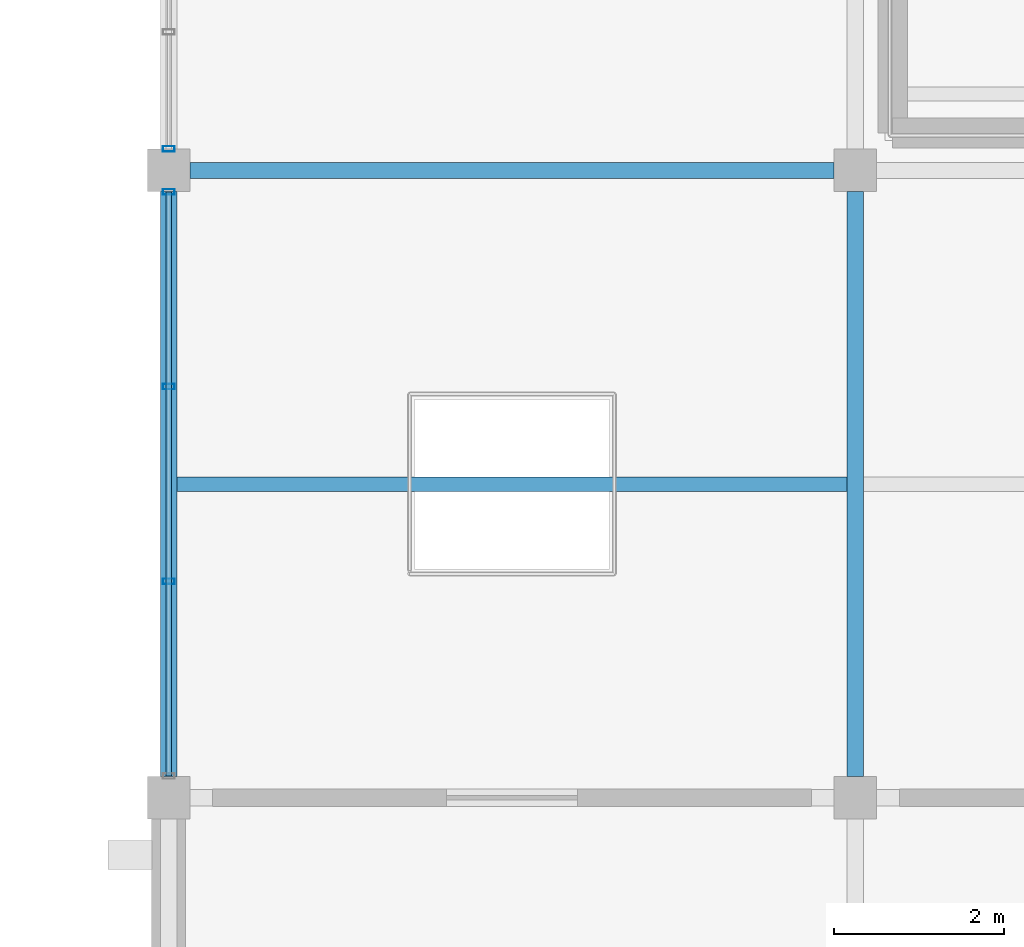
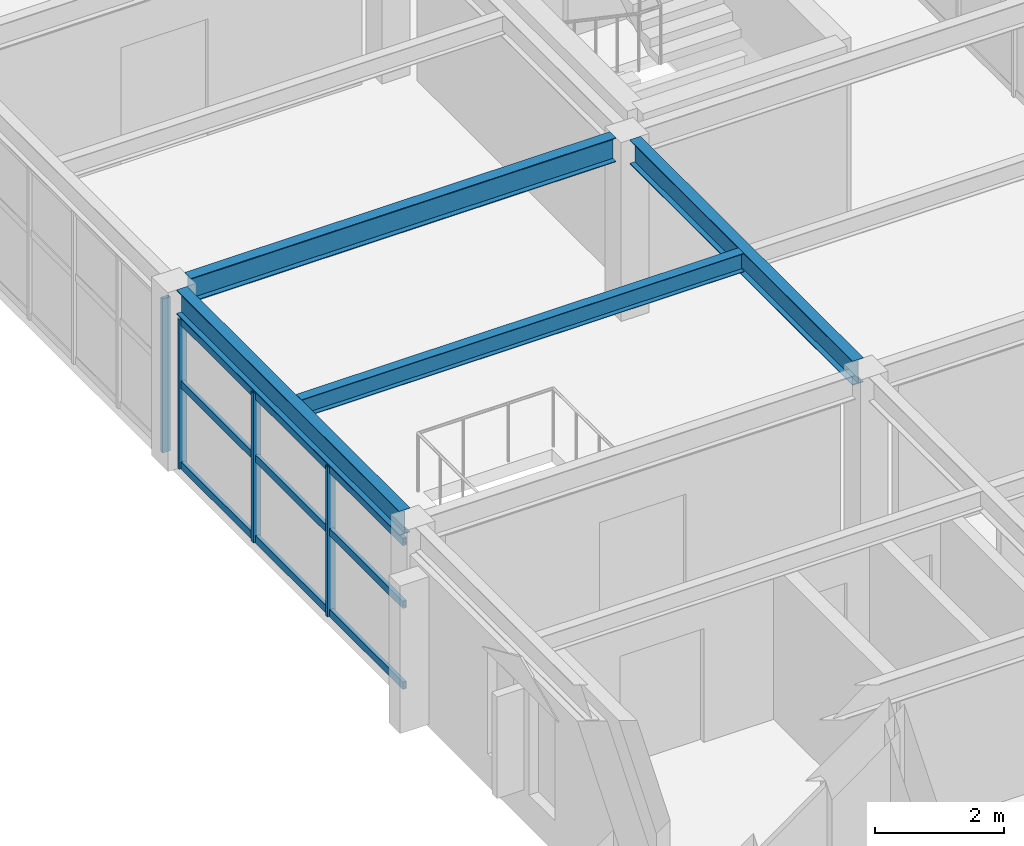
# One storey, part 40 of 93: 7 members, 4 beams, 2 elements without a shape of their own.
"""IFC4 building model written with IfcOpenShell, lengths in metres."""

from ifc_helpers import new_model, si_unit, direction, frame, origin, origin_2d, place, context, subcontext, project, spatial, hollow_rectangle, i_section, extrude, material, material_profile, profile_set, type_object, element, aggregate, save


model = new_model("IFC4")

# Units and contexts
model_context = context("Model", 3, precision=1e-05, world=origin(), true_north=direction((0.0, 1.0)))
body_context = subcontext(model_context, "Body", "Model", "MODEL_VIEW")
ifc_project = project(units=[si_unit("LENGTHUNIT", "METRE"), si_unit("AREAUNIT", "SQUARE_METRE"), si_unit("VOLUMEUNIT", "CUBIC_METRE"), si_unit("PLANEANGLEUNIT", "RADIAN"), si_unit("MASSUNIT", "GRAM", prefix="KILO")], contexts=[model_context])

# Site, building, storey
site_placement = place(None, origin())
site = spatial("IfcSite", under=ifc_project, at=site_placement, CompositionType="ELEMENT")
building_placement = place(site_placement, origin())
building = spatial("IfcBuilding", under=site, at=building_placement, Name="Cimatlan Art Gallery", CompositionType="ELEMENT")
storey_placement = place(building_placement, frame((0.0, 0.0, 13.800048828125)))
storey = spatial("IfcBuildingStorey", under=building, at=storey_placement, Name="L03", CompositionType="ELEMENT", Elevation=13.800048828125)

# Beams
ifc_material_1 = material(Name="Steel ASTM A992 Grade 50", Category="steel")
ifc_material_profile_1 = material_profile(ifc_material_1, i_section(OverallWidth=0.1708984375, OverallDepth=0.35107421875, WebThickness=0.0068359375, FlangeThickness=0.009765625, at=origin_2d()), Name="W14X30")
ifc_profile_set_1 = profile_set([ifc_material_profile_1], Name="Steel ASTM A992 Grade 50")
beam_type_1 = type_object("IfcBeamType", Name="BM-STL-W14X30", PredefinedType="JOIST", material=ifc_profile_set_1)
beam_1_placement = place(storey_placement, frame((115.49560546875, 42.39990234375, 3.204345703125), z_axis=(1.0, 0.0, 0.0), x_axis=(0.0, 1.0, 0.0)))
element("IfcBeam", 1, at=beam_1_placement, inside=storey, type_object=beam_type_1, Name="JST-L03-14-05", PredefinedType="JOIST", context=body_context, shape_type="SweptSolid", body=[
    extrude(i_section(OverallWidth=0.1708984375, OverallDepth=0.35107421875, WebThickness=0.0068359375, FlangeThickness=0.009765625, at=origin_2d()), origin(), (0.0, 0.0, 1.0), 7.908935546875),
])
ifc_material_profile_2 = material_profile(ifc_material_1, i_section(OverallWidth=0.19091796875, OverallDepth=0.45703125, WebThickness=0.009033203125, FlangeThickness=0.014404296875, at=origin_2d()), Name="W18X50")
ifc_profile_set_2 = profile_set([ifc_material_profile_2], Name="Steel ASTM A992 Grade 50")
beam_type_2 = type_object("IfcBeamType", Name="BM-STL-W18X50", PredefinedType="BEAM", material=ifc_profile_set_2)
for number, where, z_axis, x_axis, name in (
    (2, (115.39990234375, 38.949951171875, 3.1513671875), (0.0, 1.0, 0.0), (-1.0, 0.0, 0.0), "BM-Y-L03-14-05"),
    (3, (123.5, 38.949951171875, 3.1513671875), (0.0, 1.0, 0.0), (-1.0, 0.0, 0.0), "BM-Y-L03-15-05"),
):
    element("IfcBeam", number, at=place(storey_placement, frame(where, z_axis=z_axis, x_axis=x_axis)), inside=storey, type_object=beam_type_2, Name=name, PredefinedType="BEAM", context=body_context, shape_type="SweptSolid", body=[
        extrude(i_section(OverallWidth=0.19091796875, OverallDepth=0.45703125, WebThickness=0.009033203125, FlangeThickness=0.014404296875, at=origin_2d()), origin(), (0.0, 0.0, 1.0), 6.900146484375),
    ])
beam_2_placement = place(storey_placement, frame((115.64990234375, 46.10009765625, 3.1513671875), z_axis=(1.0, 0.0, 0.0), x_axis=(0.0, 1.0, 0.0)))
element("IfcBeam", 4, at=beam_2_placement, inside=storey, type_object=beam_type_2, Name="BM-X-L03-14-06", PredefinedType="BEAM", context=body_context, shape_type="SweptSolid", body=[
    extrude(i_section(OverallWidth=0.19091796875, OverallDepth=0.45703125, WebThickness=0.009033203125, FlangeThickness=0.014404296875, at=origin_2d()), origin(), (0.0, 0.0, 1.0), 7.60009765625),
])

# Curtain wall, members
ifc_material_2 = material(Name="Anodised bronze unitised curtain wall")
curtain_wall_type_1 = type_object("IfcCurtainWallType", Name="CW-V-06892X02833-B3", PredefinedType="NOTDEFINED", material=ifc_material_2)
curtain_wall_1_placement = place(storey_placement, origin())
curtain_wall_1 = element("IfcCurtainWall", 5, at=curtain_wall_1_placement, inside=storey, type_object=curtain_wall_type_1, Name="CW-L03-14-05-W", PredefinedType="NOTDEFINED")
ifc_material_3 = material(Name="Anodised bronze aluminium 6063-T6", Category="aluminium")
ifc_material_profile_3 = material_profile(ifc_material_3, hollow_rectangle(XDim=0.06494140625, YDim=0.139892578125, WallThickness=0.00390625, at=origin_2d()), Name="ALU65X140X4")
ifc_profile_set_3 = profile_set([ifc_material_profile_3], Name="Anodised bronze aluminium 6063-T6")
member_type_1 = type_object("IfcMemberType", Name="CW-MUL-140", PredefinedType="MULLION", material=ifc_profile_set_3)
member_1_placement = place(storey_placement, frame((115.39990234375, 41.251220703125, 0.0), z_axis=(0.0, 0.0, 1.0), x_axis=(0.0, 1.0, 0.0)))
member_1 = element("IfcMember", 6, at=member_1_placement, type_object=member_type_1, Name="CW-L03-14-05-W-M2", PredefinedType="MULLION", context=body_context, shape_type="SweptSolid", body=[
    extrude(hollow_rectangle(XDim=0.06494140625, YDim=0.139892578125, WallThickness=0.00390625, at=origin_2d()), origin(), (0.0, 0.0, 1.0), 2.8330078125),
])
member_2_placement = place(storey_placement, frame((115.39990234375, 43.548583984375, 0.0), z_axis=(0.0, 0.0, 1.0), x_axis=(0.0, 1.0, 0.0)))
member_2 = element("IfcMember", 7, at=member_2_placement, type_object=member_type_1, Name="CW-L03-14-05-W-M3", PredefinedType="MULLION", context=body_context, shape_type="SweptSolid", body=[
    extrude(hollow_rectangle(XDim=0.06494140625, YDim=0.139892578125, WallThickness=0.00390625, at=origin_2d()), origin(), (0.0, 0.0, 1.0), 2.8330078125),
])
member_3_placement = place(storey_placement, frame((115.39990234375, 45.845947265625, 0.0), z_axis=(0.0, 0.0, 1.0), x_axis=(0.0, 1.0, 0.0)))
member_3 = element("IfcMember", 8, at=member_3_placement, type_object=member_type_1, Name="CW-L03-14-05-W-M4", PredefinedType="MULLION", context=body_context, shape_type="SweptSolid", body=[
    extrude(hollow_rectangle(XDim=0.06494140625, YDim=0.139892578125, WallThickness=0.00390625, at=origin_2d()), origin(), (0.0, 0.0, 1.0), 2.8330078125),
])

# Curtain wall, member
curtain_wall_type_2 = type_object("IfcCurtainWallType", Name="CW-V-06892X02908-B5", PredefinedType="NOTDEFINED", material=ifc_material_2)
curtain_wall_2_placement = place(storey_placement, origin())
curtain_wall_2 = element("IfcCurtainWall", 9, at=curtain_wall_2_placement, inside=storey, type_object=curtain_wall_type_2, Name="CW-L03-14-06-W", PredefinedType="NOTDEFINED")
member_4_placement = place(storey_placement, frame((115.39990234375, 46.35400390625, 0.0), z_axis=(0.0, 0.0, 1.0), x_axis=(0.0, 1.0, 0.0)))
member_4 = element("IfcMember", 10, at=member_4_placement, type_object=member_type_1, Name="CW-L03-14-06-W-M1", PredefinedType="MULLION", context=body_context, shape_type="SweptSolid", body=[
    extrude(hollow_rectangle(XDim=0.06494140625, YDim=0.139892578125, WallThickness=0.00390625, at=origin_2d()), origin(), (0.0, 0.0, 1.0), 2.907958984375),
])
aggregate(curtain_wall_2, [member_4])

# Member
ifc_material_profile_4 = material_profile(ifc_material_3, hollow_rectangle(XDim=0.06494140625, YDim=0.139892578125, WallThickness=0.00390625, at=origin_2d()), Name="ALU65X140X4")
ifc_profile_set_4 = profile_set([ifc_material_profile_4], Name="Anodised bronze aluminium 6063-T6")
member_type_2 = type_object("IfcMemberType", Name="CW-TRN-140", PredefinedType="USERDEFINED", material=ifc_profile_set_4)
member_5_placement = place(storey_placement, frame((115.39990234375, 38.9541015625, 0.06005859375), z_axis=(0.0, 1.0, 0.0), x_axis=(-1.0, 0.0, 0.0)))
member_5 = element("IfcMember", 11, at=member_5_placement, type_object=member_type_2, Name="CW-L03-14-05-W-T1", ObjectType="TRANSOM", PredefinedType="USERDEFINED", context=body_context, shape_type="SweptSolid", body=[
    extrude(hollow_rectangle(XDim=0.06494140625, YDim=0.139892578125, WallThickness=0.00390625, at=origin_2d()), origin(), (0.0, 0.0, 1.0), 6.891845703125),
])

member_6_placement = place(storey_placement, frame((115.39990234375, 38.9541015625, 1.58642578125), z_axis=(0.0, 1.0, 0.0), x_axis=(-1.0, 0.0, 0.0)))
member_6 = element("IfcMember", 12, at=member_6_placement, type_object=member_type_2, Name="CW-L03-14-05-W-T2", ObjectType="TRANSOM", PredefinedType="USERDEFINED", context=body_context, shape_type="SweptSolid", body=[
    extrude(hollow_rectangle(XDim=0.06494140625, YDim=0.139892578125, WallThickness=0.00390625, at=origin_2d()), origin(), (0.0, 0.0, 1.0), 6.891845703125),
])

member_7_placement = place(storey_placement, frame((115.39990234375, 38.9541015625, 2.77294921875), z_axis=(0.0, 1.0, 0.0), x_axis=(-1.0, 0.0, 0.0)))
member_7 = element("IfcMember", 13, at=member_7_placement, type_object=member_type_2, Name="CW-L03-14-05-W-T3", ObjectType="TRANSOM", PredefinedType="USERDEFINED", context=body_context, shape_type="SweptSolid", body=[
    extrude(hollow_rectangle(XDim=0.06494140625, YDim=0.139892578125, WallThickness=0.00390625, at=origin_2d()), origin(), (0.0, 0.0, 1.0), 6.891845703125),
])

aggregate(curtain_wall_1, [member_1, member_2, member_3, member_5, member_6, member_7])

save(model, "model.ifc")
